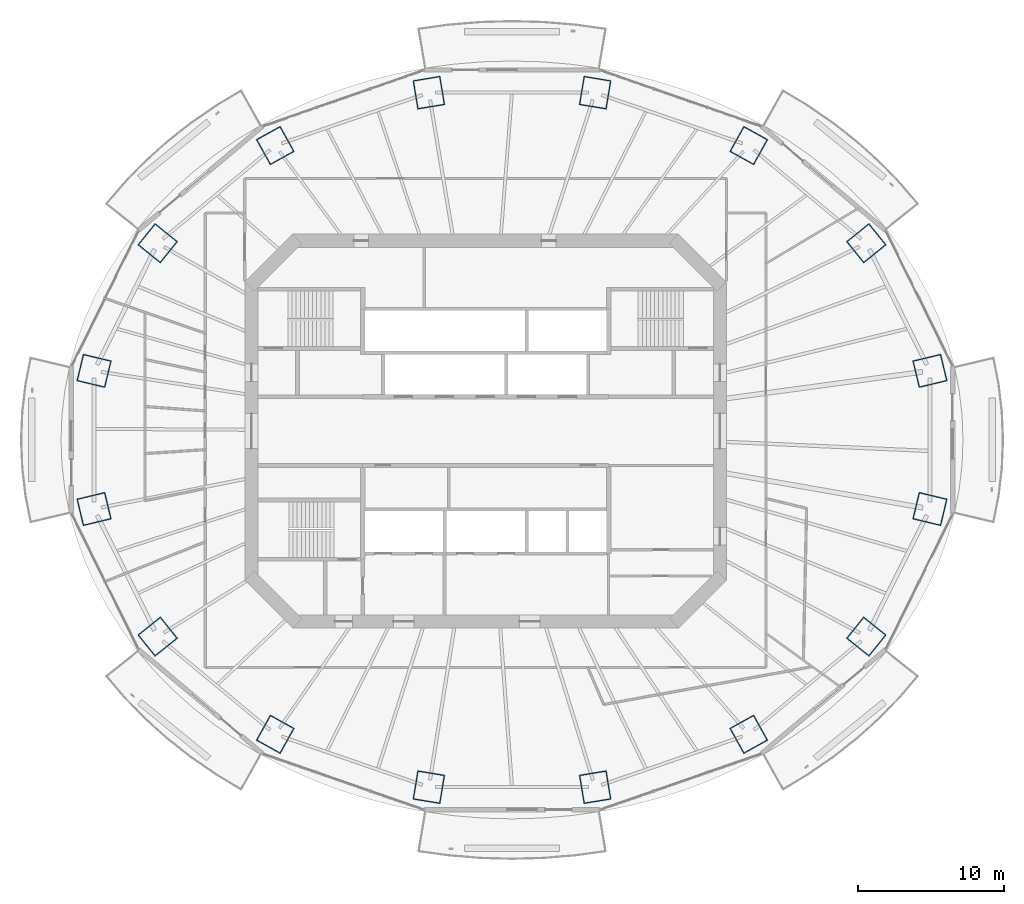
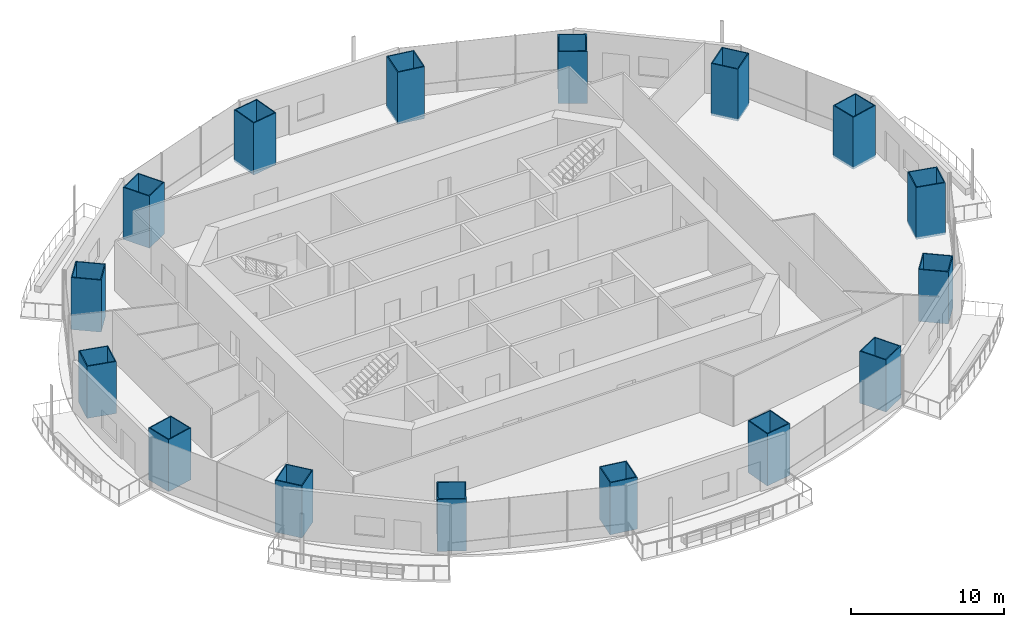
# One storey, part 1 of 19: 16 columns.
"""IFC4 building model written with IfcOpenShell, lengths in metres."""

from ifc_helpers import new_model, si_unit, direction, frame, origin, origin_2d, place, context, subcontext, project, spatial, rectangle, hollow_rectangle, extrude, material, material_profile, profile_set, type_object, element, save


model = new_model("IFC4")

# Units and contexts
model_context = context("Model", 3, precision=1e-05, world=origin(), true_north=direction((0.0, 1.0)))
body_context = subcontext(model_context, "Body", "Model", "MODEL_VIEW")
ifc_project = project(units=[si_unit("LENGTHUNIT", "METRE"), si_unit("AREAUNIT", "SQUARE_METRE"), si_unit("VOLUMEUNIT", "CUBIC_METRE"), si_unit("PLANEANGLEUNIT", "RADIAN"), si_unit("MASSUNIT", "GRAM", prefix="KILO")], contexts=[model_context])

# Site, building, storey
site_placement = place(None, origin())
site = spatial("IfcSite", under=ifc_project, at=site_placement, CompositionType="ELEMENT")
building_placement = place(site_placement, origin())
building = spatial("IfcBuilding", under=site, at=building_placement, Name="Marenthal Gate Tower", CompositionType="ELEMENT")
storey_placement = place(building_placement, frame((0.0, 0.0, 223.300048828125)))
storey = spatial("IfcBuildingStorey", under=building, at=storey_placement, Name="L49", CompositionType="ELEMENT", Elevation=223.300048828125)

# Columns
ifc_material_1 = material(Name="Steel S460", Category="steel")
ifc_material_profile_1 = material_profile(ifc_material_1, hollow_rectangle(XDim=1.89990234375, YDim=2.0, WallThickness=0.070068359375, at=origin_2d()), Name="CFT BOX 2000X1900X70")
ifc_material_2 = material(Name="Concrete 70 MPa", Category="concrete")
ifc_material_profile_2 = material_profile(ifc_material_2, rectangle(XDim=1.760009765625, YDim=1.860107421875, at=origin_2d()), Name="CFT BOX 2000X1900X70 INFILL")
ifc_profile_set = profile_set([ifc_material_profile_1, ifc_material_profile_2], Name="Steel S460 shell, Concrete 70 MPa infill")
column_type = type_object("IfcColumnType", Name="CFT BOX 2000X1900X70", PredefinedType="COLUMN", material=ifc_profile_set)
for number, where, z_axis, x_axis, name in (
    (1, (30.3486328125, 4.118408203125, -0.179931640625), (0.0, 0.0, 1.0), (0.232822478229, -0.972519251034, 0.0), "COL-L49-01"),
    (2, (26.00244140625, 12.83642578125, -0.179931640625), (0.0, 0.0, 1.0), (0.626684059922, -0.779273436632, 0.0), "COL-L49-02"),
    (3, (17.971435546875, 19.509033203125, -0.179931640625), (0.0, 0.0, 1.0), (0.87430051837, -0.485385005514, 0.0), "COL-L49-03"),
    (4, (7.478759765625, 23.120361328125, -0.179931640625), (0.0, 0.0, 1.0), (0.98661630943, -0.163059062814, 0.0), "COL-L49-04"),
    (5, (-3.878662109375, 23.120361328125, -0.179931640625), (0.0, 0.0, 1.0), (0.98661630943, 0.163059062814, 0.0), "COL-L49-05"),
    (6, (-14.37158203125, 19.509033203125, -0.179931640625), (0.0, 0.0, 1.0), (0.87430051837, 0.485385005514, 0.0), "COL-L49-06"),
    (7, (-22.40234375, 12.83642578125, -0.179931640625), (0.0, 0.0, 1.0), (0.626684059922, 0.779273436632, 0.0), "COL-L49-07"),
    (8, (-26.748779296875, 4.118408203125, -0.179931640625), (0.0, 0.0, 1.0), (0.232822478229, 0.972519251034, 0.0), "COL-L49-08"),
    (9, (-26.748779296875, -5.318359375, -0.179931640625), (0.0, 0.0, 1.0), (-0.232822478229, 0.972519251034, 0.0), "COL-L49-09"),
    (10, (-22.40234375, -14.03662109375, -0.179931640625), (0.0, 0.0, 1.0), (-0.626684059922, 0.779273436632, 0.0), "COL-L49-10"),
    (11, (-14.37158203125, -20.708984375, -0.179931640625), (0.0, 0.0, 1.0), (-0.87430051837, 0.485385005514, 0.0), "COL-L49-11"),
    (12, (-3.878662109375, -24.3203125, -0.179931640625), (0.0, 0.0, 1.0), (-0.98661630943, 0.163059062814, 0.0), "COL-L49-12"),
    (13, (7.478759765625, -24.3203125, -0.179931640625), (0.0, 0.0, 1.0), (-0.98661630943, -0.163059062814, 0.0), "COL-L49-13"),
    (14, (17.971435546875, -20.708984375, -0.179931640625), (0.0, 0.0, 1.0), (-0.87430051837, -0.485385005514, 0.0), "COL-L49-14"),
    (15, (26.00244140625, -14.03662109375, -0.179931640625), (0.0, 0.0, 1.0), (-0.626684059922, -0.779273436632, 0.0), "COL-L49-15"),
    (16, (30.3486328125, -5.318359375, -0.179931640625), (0.0, 0.0, 1.0), (-0.232822478229, -0.972519251034, 0.0), "COL-L49-16"),
):
    element("IfcColumn", number, at=place(storey_placement, frame(where, z_axis=z_axis, x_axis=x_axis)), inside=storey, type_object=column_type, Name=name, PredefinedType="COLUMN", context=body_context, shape_type="SweptSolid", body=[
        extrude(hollow_rectangle(XDim=1.89990234375, YDim=2.0, WallThickness=0.070068359375, at=origin_2d()), origin(), (0.0, 0.0, 1.0), 4.14990234375),
    ])

save(model, "model.ifc")
